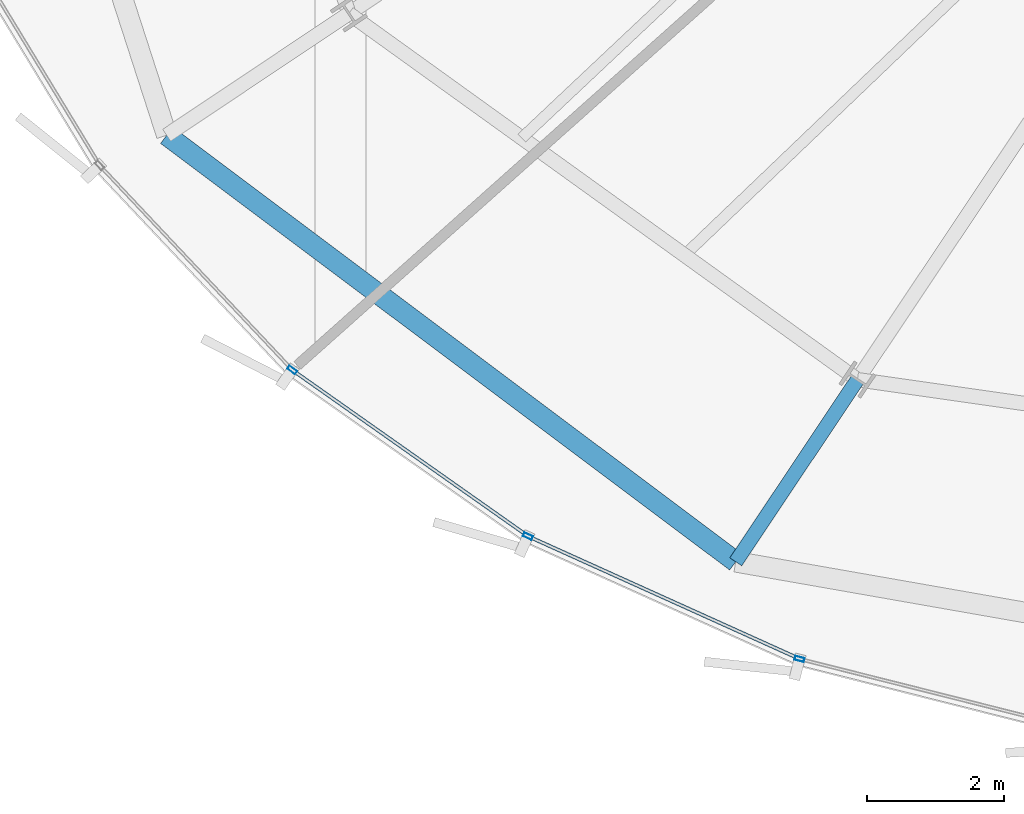
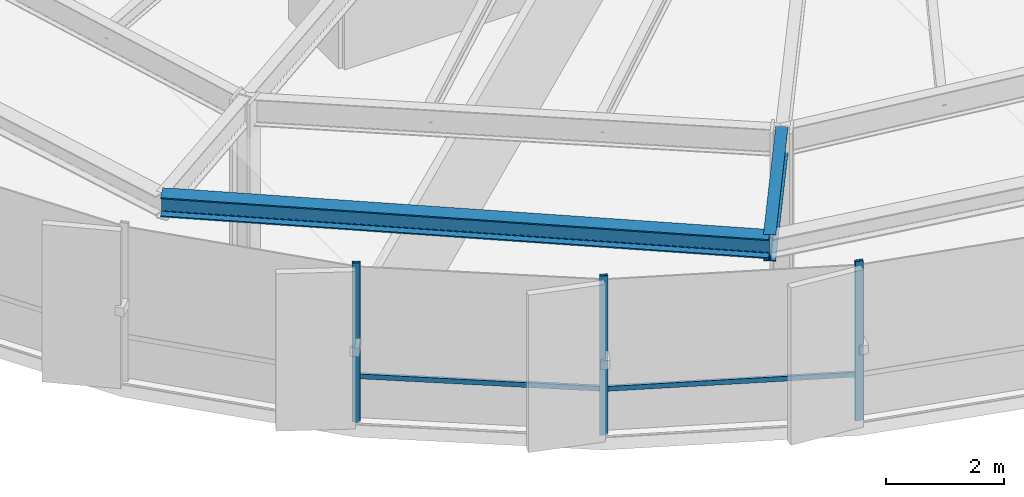
# One storey, part 2 of 35: 5 members, 2 beams, 1 element without a shape of its own.
"""IFC4 building model written with IfcOpenShell, lengths in metres."""

from ifc_helpers import new_model, si_unit, direction, frame, origin, origin_2d, place, context, subcontext, project, spatial, hollow_rectangle, i_section, extrude, source, transform, mapped, material, layer, layer_set, material_profile, profile_set, type_object, element, aggregate, save


model = new_model("IFC4")

# Units and contexts
model_context = context("Model", 3, precision=1e-05, world=origin(), true_north=direction((0.0, 1.0)))
body_context = subcontext(model_context, "Body", "Model", "MODEL_VIEW")
ifc_project = project(units=[si_unit("LENGTHUNIT", "METRE"), si_unit("AREAUNIT", "SQUARE_METRE"), si_unit("VOLUMEUNIT", "CUBIC_METRE"), si_unit("PLANEANGLEUNIT", "RADIAN"), si_unit("MASSUNIT", "GRAM", prefix="KILO"), si_unit("THERMODYNAMICTEMPERATUREUNIT", "KELVIN")], contexts=[model_context])

# Site, building, storey
site_placement = place(None, origin())
site = spatial("IfcSite", under=ifc_project, at=site_placement, CompositionType="ELEMENT")
building_placement = place(site_placement, origin())
building = spatial("IfcBuilding", under=site, at=building_placement, Name="Kethvar Cultural Tower", CompositionType="ELEMENT")
storey_placement = place(building_placement, frame((0.0, 0.0, 135.89990234375)))
storey = spatial("IfcBuildingStorey", under=building, at=storey_placement, Name="L34", CompositionType="ELEMENT", Elevation=135.89990234375)

# Beams
ifc_material_1 = material(Name="Steel S355J2", Category="steel")
ifc_material_profile_1 = material_profile(ifc_material_1, i_section(OverallWidth=0.2099609375, OverallDepth=0.550048828125, WebThickness=0.010986328125, FlangeThickness=0.01708984375, FilletRadius=0.02392578125, at=origin_2d()), Name="Steel S355J2 — IPE550")
ifc_profile_set_1 = profile_set([ifc_material_profile_1], Name="Steel S355J2 — IPE550")
beam_type_1 = type_object("IfcBeamType", Name="BM-IPE550", PredefinedType="BEAM", material=ifc_profile_set_1)
shared_shape_1 = source(origin(), body_context, "Body", "SweptSolid", [
    extrude(i_section(OverallWidth=0.2099609375, OverallDepth=0.550048828125, WebThickness=0.010986328125, FlangeThickness=0.01708984375, FilletRadius=0.02392578125, at=origin_2d()), origin(), (0.0, 0.0, 1.0), 3.199951171875),
])
beam_1_placement = place(storey_placement, frame((34.350830078125, 9.16845703125, 3.023193359375), z_axis=(-0.555580212716, -0.831462943996, 0.0), x_axis=(0.831462943996, -0.555580212716, 0.0)))
element("IfcBeam", 1, at=beam_1_placement, inside=storey, type_object=beam_type_1, Name="L34 Perimeter Cantilever Beam RC-11", PredefinedType="BEAM", context=body_context, shape_type="MappedRepresentation", body=[
    mapped(shared_shape_1, transform((0.0, 0.0, 0.0), scale=1.0)),
])
ifc_material_profile_2 = material_profile(ifc_material_1, i_section(OverallWidth=0.300048828125, OverallDepth=0.39990234375, WebThickness=0.013427734375, FlangeThickness=0.02392578125, FilletRadius=0.027099609375, at=origin_2d()), Name="Steel S355J2 — HEB400")
ifc_profile_set_2 = profile_set([ifc_material_profile_2], Name="Steel S355J2 — HEB400")
beam_type_2 = type_object("IfcBeamType", Name="BM-SP400", PredefinedType="SPANDREL", material=ifc_profile_set_2)
shared_shape_2 = source(origin(), body_context, "Body", "SweptSolid", [
    extrude(i_section(OverallWidth=0.300048828125, OverallDepth=0.39990234375, WebThickness=0.013427734375, FlangeThickness=0.02392578125, FilletRadius=0.027099609375, at=origin_2d()), origin(), (0.0, 0.0, 1.0), 10.38916015625),
])
beam_2_placement = place(storey_placement, frame((24.260009765625, 12.7392578125, 3.09814453125), z_axis=(0.800152249906, -0.599796946449, 0.0), x_axis=(0.599796946449, 0.800152249906, 0.0)))
element("IfcBeam", 2, at=beam_2_placement, inside=storey, type_object=beam_type_2, Name="L34 Perimeter Spandrel Beam SP-10", PredefinedType="SPANDREL", context=body_context, shape_type="MappedRepresentation", body=[
    mapped(shared_shape_2, transform((0.0, 0.0, 0.0), scale=1.0)),
])

# Curtain wall, members
ifc_material_2 = material(Name="Aluminium 6063-T6", Category="aluminium")
ifc_layer = layer(ifc_material_2, 0.179931640625, Name="Aluminium 6063-T6", Category="aluminium")
ifc_layer_set = layer_set([ifc_layer], Name="Aluminium 6063-T6 (180 mm)")
curtain_wall_type = type_object("IfcCurtainWallType", Name="CW-SYS-04-Z34", PredefinedType="NOTDEFINED", material=ifc_layer_set)
curtain_wall_placement = place(storey_placement, origin())
curtain_wall = element("IfcCurtainWall", 3, at=curtain_wall_placement, inside=storey, type_object=curtain_wall_type, Name="L34 Curtain Wall Run 04", PredefinedType="NOTDEFINED")
ifc_material_profile_3 = material_profile(ifc_material_2, hollow_rectangle(XDim=0.06005859375, YDim=0.139892578125, WallThickness=0.0048828125, at=origin_2d()), Name="Aluminium 6063-T6 — RHS140x60x5")
ifc_profile_set_3 = profile_set([ifc_material_profile_3], Name="Aluminium 6063-T6 — RHS140x60x5")
member_type_1 = type_object("IfcMemberType", Name="CW-SYS-04-Z34-MUL", PredefinedType="MULLION", material=ifc_profile_set_3)
shared_shape_3 = source(origin(), body_context, "Body", "SweptSolid", [
    extrude(hollow_rectangle(XDim=0.06005859375, YDim=0.139892578125, WallThickness=0.0048828125, at=origin_2d()), origin(), (0.0, 0.0, 1.0), 3.300048828125),
])
member_1_placement = place(storey_placement, frame((26.093017578125, 9.31005859375, 0.0), z_axis=(0.0, 0.0, 1.0), x_axis=(0.575975846485, 0.817466711412, 0.0)))
member_1 = element("IfcMember", 4, at=member_1_placement, type_object=member_type_1, Name="CW-L34-R04 Mullion 3", PredefinedType="MULLION", context=body_context, shape_type="MappedRepresentation", body=[
    mapped(shared_shape_3, transform((0.0, 0.0, 0.0), scale=1.0)),
])
member_2_placement = place(storey_placement, frame((29.5361328125, 6.881591796875, 0.0), z_axis=(0.0, 0.0, 1.0), x_axis=(0.411466637077, 0.911424822228, 0.0)))
member_2 = element("IfcMember", 5, at=member_2_placement, type_object=member_type_1, Name="CW-L34-R04 Mullion 4", PredefinedType="MULLION", context=body_context, shape_type="MappedRepresentation", body=[
    mapped(shared_shape_3, transform((0.0, 0.0, 0.0), scale=1.0)),
])
member_3_placement = place(storey_placement, frame((33.5048828125, 5.087890625, 0.0), z_axis=(0.0, 0.0, 1.0), x_axis=(0.244359748118, 0.969684646419, 0.0)))
member_3 = element("IfcMember", 6, at=member_3_placement, type_object=member_type_1, Name="CW-L34-R04 Mullion 5", PredefinedType="MULLION", context=body_context, shape_type="MappedRepresentation", body=[
    mapped(shared_shape_3, transform((0.0, 0.0, 0.0), scale=1.0)),
])
ifc_material_profile_4 = material_profile(ifc_material_2, hollow_rectangle(XDim=0.050048828125, YDim=0.10009765625, WallThickness=0.00390625, at=origin_2d()), Name="Aluminium 6063-T6 — RHS100x50x4")
ifc_profile_set_4 = profile_set([ifc_material_profile_4], Name="Aluminium 6063-T6 — RHS100x50x4")
member_type_2 = type_object("IfcMemberType", Name="CW-SYS-04-Z34-TRN", PredefinedType="USERDEFINED", material=ifc_profile_set_4)
shared_shape_4 = source(origin(), body_context, "Body", "SweptSolid", [
    extrude(hollow_rectangle(XDim=0.050048828125, YDim=0.10009765625, WallThickness=0.00390625, at=origin_2d()), origin(), (0.0, 0.0, 1.0), 4.288330078125),
])
member_4_placement = place(storey_placement, frame((29.575439453125, 6.86376953125, 0.9501953125), z_axis=(0.911410550492, -0.41149824842, 0.0), x_axis=(0.41149824842, 0.911410550492, 0.0)))
member_4 = element("IfcMember", 7, at=member_4_placement, type_object=member_type_2, Name="CW-L34-R04 Transom 4", ObjectType="TRANSOM", PredefinedType="USERDEFINED", context=body_context, shape_type="MappedRepresentation", body=[
    mapped(shared_shape_4, transform((0.0, 0.0, 0.0), scale=1.0)),
])
shared_shape_5 = source(origin(), body_context, "Body", "SweptSolid", [
    extrude(hollow_rectangle(XDim=0.050048828125, YDim=0.10009765625, WallThickness=0.00390625, at=origin_2d()), origin(), (0.0, 0.0, 1.0), 4.147705078125),
])
member_5_placement = place(storey_placement, frame((26.128173828125, 9.28515625, 0.9501953125), z_axis=(0.817447160319, -0.576003593814, 0.0), x_axis=(0.576003593814, 0.817447160319, 0.0)))
member_5 = element("IfcMember", 8, at=member_5_placement, type_object=member_type_2, Name="CW-L34-R04 Transom 3", ObjectType="TRANSOM", PredefinedType="USERDEFINED", context=body_context, shape_type="MappedRepresentation", body=[
    mapped(shared_shape_5, transform((0.0, 0.0, 0.0), scale=1.0)),
])
aggregate(curtain_wall, [member_1, member_2, member_3, member_5, member_4])

save(model, "model.ifc")
